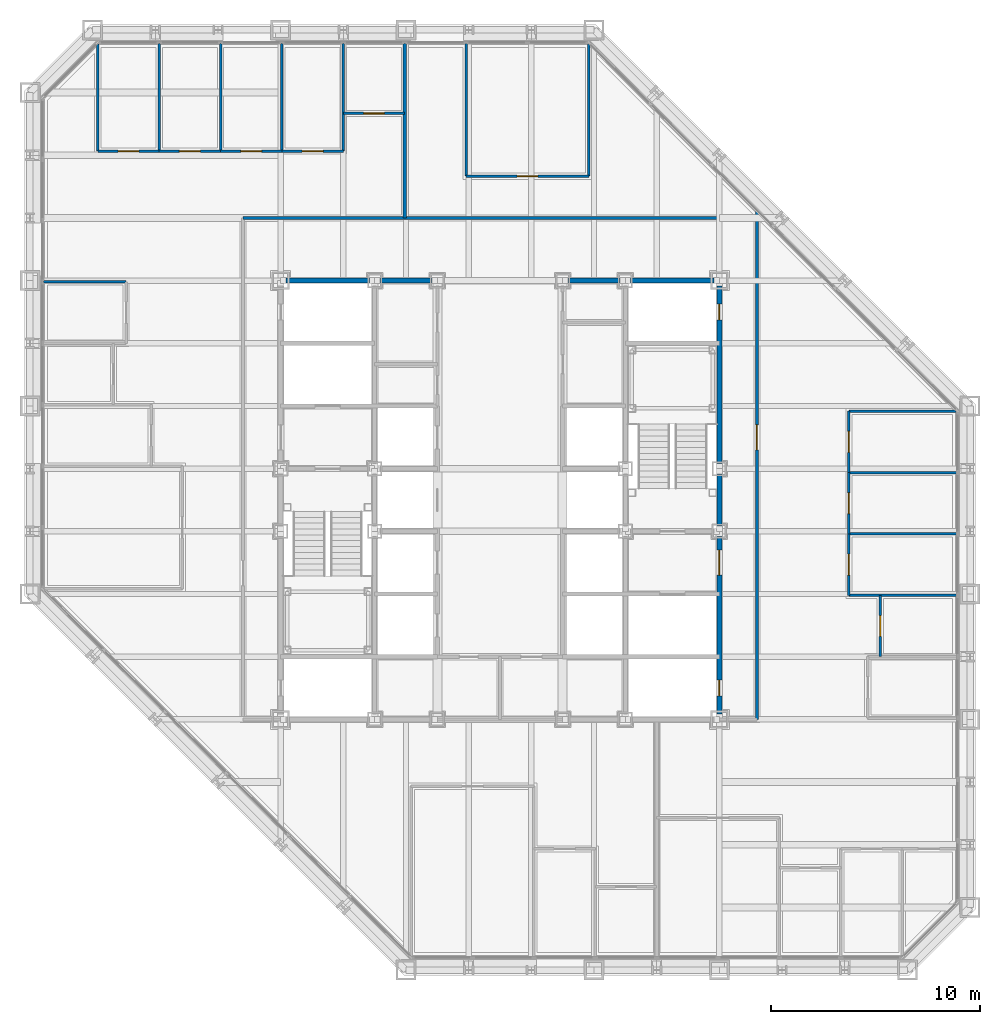
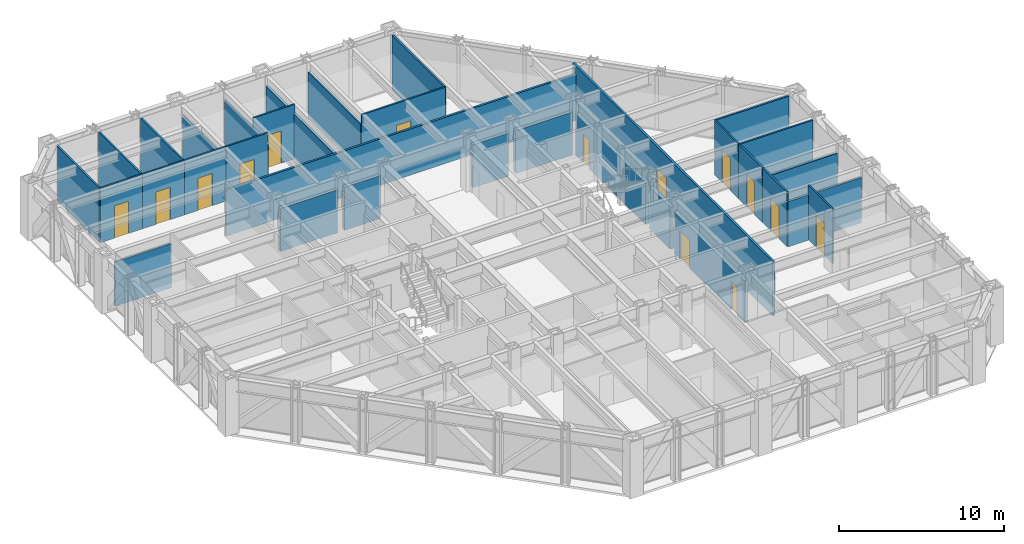
# One storey, part 12 of 16: 32 walls, 14 doors, 14 openings.
"""IFC4 building model written with IfcOpenShell, lengths in metres."""

import ifcopenshell
import ifcopenshell.guid

model = None  # the IFC model being written
_history = None  # IfcOwnerHistory: only IFC2X3 demands one
_inside = {}  # id of a spatial element -> (the spatial element, [elements in it])
_under = {}  # id of a project, library or spatial element -> (it, [spatial elements below it])
_declared = {}  # id of a project -> (the project, [libraries it declares])
_typed = {}  # id of a type object -> (the type object, [elements of that type])
_made_of = {}  # id of a material, layer set ... -> (it, [elements and type objects made of it])


def new_model(schema):
    """Start an empty IFC model of exactly this schema.

    Asked for "IFC4X3", IfcOpenShell would pick the latest addendum, in which some entities
    have other attributes; the version numbers below select the first issue.
    IFC2X3 requires an IfcOwnerHistory on every rooted entity: one is made here for all.
    """
    global model, _history
    if schema == "IFC4X3":
        model = ifcopenshell.file(schema_version=(4, 3, 0, 0))
    else:
        model = ifcopenshell.file(schema=schema)
    _inside.clear()
    _under.clear()
    _declared.clear()
    _typed.clear()
    _made_of.clear()
    _history = None
    if model.schema == "IFC2X3":
        org = make("IfcOrganization", Name="unknown")
        user = make(
            "IfcPersonAndOrganization",
            ThePerson=make("IfcPerson", FamilyName="unknown"),
            TheOrganization=org,
        )
        app = make(
            "IfcApplication",
            ApplicationDeveloper=org,
            Version="unknown",
            ApplicationFullName="unknown",
            ApplicationIdentifier="unknown",
        )
        _history = make(
            "IfcOwnerHistory",
            OwningUser=user,
            OwningApplication=app,
            ChangeAction="ADDED",
            CreationDate=0,
        )
    return model


def make(cls, **values):
    """One entity of the class cls with the attributes given. An attribute that is None is left unset."""
    return model.create_entity(
        cls, **{name: value for name, value in values.items() if value is not None}
    )


def rooted(cls, **values):
    """An entity with a GlobalId (a new one), such as an element, a storey or a relation."""
    return make(cls, GlobalId=ifcopenshell.guid.new(), OwnerHistory=_history, **values)


def si_unit(unit_type, name, prefix=None):
    """IfcSIUnit, for example si_unit("LENGTHUNIT", "METRE", prefix="MILLI")."""
    return make("IfcSIUnit", UnitType=unit_type, Prefix=prefix, Name=name)


def assignment(units):
    """IfcUnitAssignment: the units of a project."""
    return None if units is None else make("IfcUnitAssignment", Units=units)


def point(xyz):
    """IfcCartesianPoint."""
    return None if xyz is None else make("IfcCartesianPoint", Coordinates=xyz)


def direction(xyz):
    """IfcDirection."""
    return None if xyz is None else make("IfcDirection", DirectionRatios=xyz)


def frame(location, z_axis=None, x_axis=None):
    """IfcAxis2Placement3D, a coordinate frame: its origin and axes. An axis left out is left unset."""
    return make(
        "IfcAxis2Placement3D",
        Location=point(location),
        Axis=direction(z_axis),
        RefDirection=direction(x_axis),
    )


def frame_2d(location, x_axis=None):
    """IfcAxis2Placement2D, a coordinate frame in the plane: its origin and x axis."""
    return make(
        "IfcAxis2Placement2D", Location=point(location), RefDirection=direction(x_axis)
    )


def origin():
    """The frame at (0, 0, 0) with its axes left unset."""
    return frame((0.0, 0.0, 0.0))


def place(relative_to, where):
    """IfcLocalPlacement: puts the frame where relative to a parent placement (None: the world)."""
    return make(
        "IfcLocalPlacement", PlacementRelTo=relative_to, RelativePlacement=where
    )


def context(
    kind, dimensions, precision=None, world=None, true_north=None, identifier=None
):
    """IfcGeometricRepresentationContext, for example the 3D "Model" context."""
    return make(
        "IfcGeometricRepresentationContext",
        ContextIdentifier=identifier,
        ContextType=kind,
        CoordinateSpaceDimension=dimensions,
        Precision=precision,
        WorldCoordinateSystem=world,
        TrueNorth=true_north,
    )


def subcontext(parent, identifier, kind, view, scale=None):
    """IfcGeometricRepresentationSubContext, for example "Body" below "Model"."""
    return make(
        "IfcGeometricRepresentationSubContext",
        ContextIdentifier=identifier,
        ContextType=kind,
        ParentContext=parent,
        TargetScale=scale,
        TargetView=view,
    )


def project(units=None, contexts=None):
    """IfcProject with its units and contexts."""
    return rooted(
        "IfcProject",
        Name="project",
        RepresentationContexts=contexts,
        UnitsInContext=assignment(units),
    )


def spatial(cls, under=None, at=None, **own):
    """A site, building, storey or space (cls), placed at a placement, below another one or the project."""
    s = rooted(cls, ObjectPlacement=at, **own)
    if under is not None:
        _under.setdefault(under.id(), (under, []))[1].append(s)
    return s


def profile(cls, at=None, kind="AREA", **sizes):
    """A parametric profile (cls). Its sizes go by their IFC names, for example OverallWidth=200.0."""
    return make(cls, ProfileType=kind, Position=at, **sizes)


def rectangle(**sizes):
    """IfcRectangleProfileDef."""
    return profile("IfcRectangleProfileDef", **sizes)


def extrude(swept, where, along, depth):
    """IfcExtrudedAreaSolid: the profile swept, set in the frame where, extruded along a direction by depth."""
    return make(
        "IfcExtrudedAreaSolid",
        SweptArea=swept,
        Position=where,
        ExtrudedDirection=direction(along),
        Depth=depth,
    )


def shape(context_of_items, identifier, shape_type, items):
    """IfcShapeRepresentation: the items that make up one representation, for example the "Body"."""
    return make(
        "IfcShapeRepresentation",
        ContextOfItems=context_of_items,
        RepresentationIdentifier=identifier,
        RepresentationType=shape_type,
        Items=items,
    )


def material(Name=None, Category=None):
    """IfcMaterial."""
    return make("IfcMaterial", Name=Name, Category=Category)


def layer(
    of_material, thickness, ventilated=None, Name=None, Category=None, Priority=None
):
    """IfcMaterialLayer: one layer of a wall or slab, of a material (None: an air gap)."""
    return make(
        "IfcMaterialLayer",
        Material=of_material,
        LayerThickness=thickness,
        IsVentilated=ventilated,
        Name=Name,
        Category=Category,
        Priority=Priority,
    )


def layer_set(layers, Name=None):
    """IfcMaterialLayerSet."""
    return make("IfcMaterialLayerSet", MaterialLayers=layers, LayerSetName=Name)


def made_of(thing, what):
    """Note that an element or type object is made of a material, layer set ...; save() writes the relation."""
    if what is not None:
        _made_of.setdefault(what.id(), (what, []))[1].append(thing)
    return thing


def type_object(cls, material=None, **own):
    """A type object (cls), such as IfcWallType, which elements share."""
    return made_of(rooted(cls, **own), material)


def element(
    cls,
    number,
    at=None,
    inside=None,
    cuts=None,
    type_object=None,
    material=None,
    context=None,
    identifier="Body",
    shape_type=None,
    held_by="IfcProductDefinitionShape",
    body=None,
    shapes=None,
    **own,
):
    """One element of the class cls, such as IfcWall. Its Tag is "e" and its number.

    at: its placement. inside: the storey or other place that contains it. cuts: it is an
    opening in that element (IfcRelVoidsElement). A single representation is given by context,
    identifier, shape_type and body (its items); several are given by shapes. held_by: the class
    of the entity that holds the representations. save() writes the other relations.
    """
    e = rooted(cls, Tag="e%d" % number, ObjectPlacement=at, **own)
    if body is not None:
        shapes = [shape(context, identifier, shape_type, body)]
    if shapes is not None:
        e.Representation = make(held_by, Representations=shapes)
    if inside is not None:
        _inside.setdefault(inside.id(), (inside, []))[1].append(e)
    if cuts is not None:
        rooted(
            "IfcRelVoidsElement", RelatingBuildingElement=cuts, RelatedOpeningElement=e
        )
    if type_object is not None:
        _typed.setdefault(type_object.id(), (type_object, []))[1].append(e)
    return made_of(e, material)


def fill(opening, filler):
    """IfcRelFillsElement: the door or window that sits in an opening."""
    return rooted(
        "IfcRelFillsElement",
        RelatingOpeningElement=opening,
        RelatedBuildingElement=filler,
    )


def aggregate(whole, parts):
    """IfcRelAggregates: a whole, such as a stair, and the parts it consists of."""
    return rooted("IfcRelAggregates", RelatingObject=whole, RelatedObjects=parts)


def save(model, path):
    """Write the relations noted so far, then the file.

    IfcRelAggregates (storeys below a building ...), IfcRelContainedInSpatialStructure (elements
    in a storey), IfcRelDefinesByType, IfcRelAssociatesMaterial and IfcRelDeclares: one each for
    every whole, place, type object, material and project.
    """
    for whole, parts in _under.values():
        aggregate(whole, parts)
    for where, things in _inside.values():
        rooted(
            "IfcRelContainedInSpatialStructure",
            RelatedElements=things,
            RelatingStructure=where,
        )
    for kind, things in _typed.values():
        rooted("IfcRelDefinesByType", RelatedObjects=things, RelatingType=kind)
    for what, things in _made_of.values():
        rooted("IfcRelAssociatesMaterial", RelatedObjects=things, RelatingMaterial=what)
    for by, libraries in _declared.values():
        rooted("IfcRelDeclares", RelatingContext=by, RelatedDefinitions=libraries)
    model.write(path)


model = new_model("IFC4")

# Units and contexts
model_context = context("Model", 3, precision=1e-05, world=origin(), true_north=direction((0.0, 1.0)))
body_context = subcontext(model_context, "Body", "Model", "MODEL_VIEW")
ifc_project = project(units=[si_unit("LENGTHUNIT", "METRE"), si_unit("AREAUNIT", "SQUARE_METRE"), si_unit("VOLUMEUNIT", "CUBIC_METRE"), si_unit("PLANEANGLEUNIT", "RADIAN"), si_unit("MASSUNIT", "GRAM", prefix="KILO")], contexts=[model_context])

# Site, building, storey
site_placement = place(None, origin())
site = spatial("IfcSite", under=ifc_project, at=site_placement, CompositionType="ELEMENT")
building_placement = place(site_placement, origin())
building = spatial("IfcBuilding", under=site, at=building_placement, Name="Chuquiago Exchange Tower", CompositionType="ELEMENT")
storey_placement = place(building_placement, frame((0.0, 0.0, 119.39990234375)))
storey = spatial("IfcBuildingStorey", under=building, at=storey_placement, Name="L25", CompositionType="ELEMENT", Elevation=119.39990234375)

# Walls
ifc_material_1 = material(Name="Concrete masonry, fully grouted", Category="masonry")
ifc_layer_1 = layer(ifc_material_1, 0.25)
ifc_layer_set_1 = layer_set([ifc_layer_1], Name="W1 core wall 250")
wall_type_1 = type_object("IfcWallType", Name="W1 core wall 250", PredefinedType="SOLIDWALL", material=ifc_layer_set_1)
wall_1_placement = place(storey_placement, frame((12.25, 33.0, 0.0), z_axis=(0.0, 0.0, 1.0), x_axis=(1.0, 0.0, 0.0)))
element("IfcWall", 1, at=wall_1_placement, inside=storey, type_object=wall_type_1, Name="CW-L25-11-0", PredefinedType="SOLIDWALL", context=body_context, shape_type="SweptSolid", body=[
    extrude(rectangle(XDim=4.0, YDim=0.25, at=frame_2d((2.0, 0.0))), origin(), (0.0, 0.0, 1.0), 3.181640625),
])
for number, where, z_axis, x_axis, name in (
    (2, (16.75, 33.0, 0.0), (0.0, 0.0, 1.0), (1.0, 0.0, 0.0), "CW-L25-11-1"),
    (3, (25.75, 33.0, 0.0), (0.0, 0.0, 1.0), (1.0, 0.0, 0.0), "CW-L25-12-0"),
):
    element("IfcWall", number, at=place(storey_placement, frame(where, z_axis=z_axis, x_axis=x_axis)), inside=storey, type_object=wall_type_1, Name=name, PredefinedType="SOLIDWALL", context=body_context, shape_type="SweptSolid", body=[
        extrude(rectangle(XDim=2.5, YDim=0.25, at=frame_2d((1.25, 0.0))), origin(), (0.0, 0.0, 1.0), 3.181640625),
    ])
wall_2_placement = place(storey_placement, frame((28.75, 33.0, 0.0), z_axis=(0.0, 0.0, 1.0), x_axis=(1.0, 0.0, 0.0)))
element("IfcWall", 4, at=wall_2_placement, inside=storey, type_object=wall_type_1, Name="CW-L25-12-1", PredefinedType="SOLIDWALL", context=body_context, shape_type="SweptSolid", body=[
    extrude(rectangle(XDim=4.0, YDim=0.25, at=frame_2d((2.0, 0.0))), origin(), (0.0, 0.0, 1.0), 3.181640625),
])

# Wall, openings, doors
wall_3_placement = place(storey_placement, frame((33.0, 12.25, 0.0), z_axis=(0.0, 0.0, 1.0), x_axis=(0.0, 1.0, 0.0)))
wall_3 = element("IfcWall", 5, at=wall_3_placement, inside=storey, type_object=wall_type_1, Name="CW-L25-25-0", PredefinedType="SOLIDWALL", context=body_context, shape_type="SweptSolid", body=[
    extrude(rectangle(XDim=8.5, YDim=0.25, at=frame_2d((4.25, 0.0))), origin(), (0.0, 0.0, 1.0), 3.113037109375),
])
opening_1_placement = place(wall_3_placement, frame((6.64990234375, 0.0, 0.0)))
opening_1 = element("IfcOpeningElement", 6, at=opening_1_placement, cuts=wall_3, Name="Opening L25-004", PredefinedType="OPENING", context=body_context, shape_type="SweptSolid", body=[
    extrude(rectangle(XDim=1.199951171875, YDim=2.10009765625, at=frame_2d((0.60009765625, 1.050048828125))), frame((0.0, 0.135009765625, 0.0), z_axis=(0.0, -1.0, 0.0), x_axis=(1.0, 0.0, 0.0)), (0.0, 0.0, 1.0), 0.27001953125),
])
opening_2_placement = place(wall_3_placement, frame((0.875, 0.0, 0.0)))
opening_2 = element("IfcOpeningElement", 7, at=opening_2_placement, cuts=wall_3, Name="Opening L25-009", PredefinedType="OPENING", context=body_context, shape_type="SweptSolid", body=[
    extrude(rectangle(XDim=0.75, YDim=2.10009765625, at=frame_2d((0.375, 1.050048828125))), frame((0.0, 0.135009765625, 0.0), z_axis=(0.0, -1.0, 0.0), x_axis=(1.0, 0.0, 0.0)), (0.0, 0.0, 1.0), 0.27001953125),
])
ifc_material_2 = material(Name="Steel door, painted", Category="steel")
door_type_1 = type_object("IfcDoorType", Name="D5 firefighting lobby door 1200x2100", OperationType="SINGLE_SWING_LEFT", PredefinedType="DOOR", material=ifc_material_2)
door_1_placement = place(opening_1_placement, origin())
door_1 = element("IfcDoor", 8, at=door_1_placement, inside=storey, type_object=door_type_1, Name="Firefighting lobby 2 door", OperationType="SINGLE_SWING_RIGHT", OverallHeight=2.10009765625, OverallWidth=1.199951171875, PredefinedType="DOOR", context=body_context, shape_type="SweptSolid", body=[
    extrude(rectangle(XDim=1.199951171875, YDim=2.10009765625, at=frame_2d((0.60009765625, 1.050048828125))), frame((0.0, 0.02490234375, 0.0), z_axis=(0.0, -1.0, 0.0), x_axis=(1.0, 0.0, 0.0)), (0.0, 0.0, 1.0), 0.050048828125),
])
fill(opening_1, door_1)
ifc_material_3 = material(Name="Steel door, painted", Category="steel")
door_type_2 = type_object("IfcDoorType", Name="D6 riser access door 750x2100", OperationType="SINGLE_SWING_LEFT", PredefinedType="DOOR", material=ifc_material_3)
door_2_placement = place(opening_2_placement, origin())
door_2 = element("IfcDoor", 9, at=door_2_placement, inside=storey, type_object=door_type_2, Name="Riser RE1 door", OperationType="SINGLE_SWING_LEFT", OverallHeight=2.10009765625, OverallWidth=0.75, PredefinedType="DOOR", context=body_context, shape_type="SweptSolid", body=[
    extrude(rectangle(XDim=0.75, YDim=2.10009765625, at=frame_2d((0.375, 1.050048828125))), frame((0.0, 0.02490234375, 0.0), z_axis=(0.0, -1.0, 0.0), x_axis=(1.0, 0.0, 0.0)), (0.0, 0.0, 1.0), 0.050048828125),
])
fill(opening_2, door_2)

# Wall
wall_4_placement = place(storey_placement, frame((33.0, 21.25, 0.0), z_axis=(0.0, 0.0, 1.0), x_axis=(0.0, 1.0, 0.0)))
element("IfcWall", 10, at=wall_4_placement, inside=storey, type_object=wall_type_1, Name="CW-L25-25-1", PredefinedType="SOLIDWALL", context=body_context, shape_type="SweptSolid", body=[
    extrude(rectangle(XDim=2.5, YDim=0.25, at=frame_2d((1.25, 0.0))), origin(), (0.0, 0.0, 1.0), 3.113037109375),
])

# Wall, opening, door
wall_5_placement = place(storey_placement, frame((33.0, 24.25, 0.0), z_axis=(0.0, 0.0, 1.0), x_axis=(0.0, 1.0, 0.0)))
wall_5 = element("IfcWall", 11, at=wall_5_placement, inside=storey, type_object=wall_type_1, Name="CW-L25-25-2", PredefinedType="SOLIDWALL", context=body_context, shape_type="SweptSolid", body=[
    extrude(rectangle(XDim=8.5, YDim=0.25, at=frame_2d((4.25, 0.0))), origin(), (0.0, 0.0, 1.0), 3.113037109375),
])
opening_3_placement = place(wall_5_placement, frame((6.875, 0.0, 0.0)))
opening_3 = element("IfcOpeningElement", 12, at=opening_3_placement, cuts=wall_5, Name="Opening L25-010", PredefinedType="OPENING", context=body_context, shape_type="SweptSolid", body=[
    extrude(rectangle(XDim=0.75, YDim=2.10009765625, at=frame_2d((0.375, 1.050048828125))), frame((0.0, 0.135009765625, 0.0), z_axis=(0.0, -1.0, 0.0), x_axis=(1.0, 0.0, 0.0)), (0.0, 0.0, 1.0), 0.27001953125),
])
door_3_placement = place(opening_3_placement, origin())
door_3 = element("IfcDoor", 13, at=door_3_placement, inside=storey, type_object=door_type_2, Name="Riser RE2 door", OperationType="SINGLE_SWING_RIGHT", OverallHeight=2.10009765625, OverallWidth=0.75, PredefinedType="DOOR", context=body_context, shape_type="SweptSolid", body=[
    extrude(rectangle(XDim=0.75, YDim=2.10009765625, at=frame_2d((0.375, 1.050048828125))), frame((0.0, 0.02490234375, 0.0), z_axis=(0.0, -1.0, 0.0), x_axis=(1.0, 0.0, 0.0)), (0.0, 0.0, 1.0), 0.050048828125),
])
fill(opening_3, door_3)

# Wall
ifc_material_4 = material(Name="Gypsum board on steel studs, acoustic insulation", Category="steel")
ifc_layer_2 = layer(ifc_material_4, 0.14990234375)
ifc_layer_set_2 = layer_set([ifc_layer_2], Name="W11 corridor wall 150")
wall_type_2 = type_object("IfcWallType", Name="W11 corridor wall 150", PredefinedType="PARTITIONING", material=ifc_layer_set_2)
wall_6_placement = place(storey_placement, frame((10.199951171875, 36.0, 0.0), z_axis=(0.0, 0.0, 1.0), x_axis=(1.0, 0.0, 0.0)))
element("IfcWall", 14, at=wall_6_placement, inside=storey, type_object=wall_type_2, Name="PW-L25-CN", PredefinedType="PARTITIONING", context=body_context, shape_type="SweptSolid", body=[
    extrude(rectangle(XDim=24.91455078125, YDim=0.14990234375, at=frame_2d((12.457275390625, 0.0))), origin(), (0.0, 0.0, 1.0), 3.427978515625),
])

# Wall, opening, door
wall_7_placement = place(storey_placement, frame((34.800048828125, 12.0, 0.0), z_axis=(0.0, 0.0, 1.0), x_axis=(0.0, 1.0, 0.0)))
wall_7 = element("IfcWall", 15, at=wall_7_placement, inside=storey, type_object=wall_type_2, Name="PW-L25-CE", PredefinedType="PARTITIONING", context=body_context, shape_type="SweptSolid", body=[
    extrude(rectangle(XDim=24.314453125, YDim=0.14990234375, at=frame_2d((12.1572265625, 0.0))), origin(), (0.0, 0.0, 1.0), 4.0400390625),
])
opening_4_placement = place(wall_7_placement, frame((12.89990234375, 0.0, 0.0)))
opening_4 = element("IfcOpeningElement", 16, at=opening_4_placement, cuts=wall_7, Name="Opening L25-044", PredefinedType="OPENING", context=body_context, shape_type="SweptSolid", body=[
    extrude(rectangle(XDim=1.199951171875, YDim=2.39990234375, at=frame_2d((0.60009765625, 1.199951171875))), frame((0.0, 0.0849609375, 0.0), z_axis=(0.0, -1.0, 0.0), x_axis=(1.0, 0.0, 0.0)), (0.0, 0.0, 1.0), 0.169921875),
])
ifc_material_5 = material(Name="Timber door, laminate faced", Category="wood")
door_type_3 = type_object("IfcDoorType", Name="D13 suite entrance door 1200x2400", OperationType="SINGLE_SWING_LEFT", PredefinedType="DOOR", material=ifc_material_5)
door_4_placement = place(opening_4_placement, frame((1.199951171875, 0.0, 0.0), z_axis=(0.0, 0.0, 1.0), x_axis=(-1.0, 0.0, 0.0)))
door_4 = element("IfcDoor", 17, at=door_4_placement, inside=storey, type_object=door_type_3, Name="East suite entrance door", OperationType="SINGLE_SWING_LEFT", OverallHeight=2.39990234375, OverallWidth=1.199951171875, PredefinedType="DOOR", context=body_context, shape_type="SweptSolid", body=[
    extrude(rectangle(XDim=1.199951171875, YDim=2.39990234375, at=frame_2d((0.60009765625, 1.199951171875))), frame((0.0, 0.02490234375, 0.0), z_axis=(0.0, -1.0, 0.0), x_axis=(1.0, 0.0, 0.0)), (0.0, 0.0, 1.0), 0.050048828125),
])
fill(opening_4, door_4)

# Walls
ifc_material_6 = material(Name="Gypsum board on twin steel studs, acoustic insulation", Category="steel")
ifc_layer_3 = layer(ifc_material_6, 0.175048828125)
ifc_layer_set_3 = layer_set([ifc_layer_3], Name="W12 tenant demising wall 175")
wall_type_3 = type_object("IfcWallType", Name="W12 tenant demising wall 175", PredefinedType="PARTITIONING", material=ifc_layer_set_3)
wall_8_placement = place(storey_placement, frame((17.93798828125, 44.347412109375, 0.0), z_axis=(0.0, 0.0, 1.0), x_axis=(0.0, -1.0, 0.0)))
element("IfcWall", 18, at=wall_8_placement, inside=storey, type_object=wall_type_3, Name="PW-L25-DN01794", PredefinedType="PARTITIONING", context=body_context, shape_type="SweptSolid", body=[
    extrude(rectangle(XDim=8.347412109375, YDim=0.175048828125, at=frame_2d((4.173828125, 0.0))), origin(), (0.0, 0.0, 1.0), 3.35693359375),
])
ifc_material_7 = material(Name="Gypsum board on steel studs", Category="steel")
ifc_layer_4 = layer(ifc_material_7, 0.1201171875)
ifc_layer_set_4 = layer_set([ifc_layer_4], Name="W4 partition 120")
wall_type_4 = type_object("IfcWallType", Name="W4 partition 120", PredefinedType="PARTITIONING", material=ifc_layer_set_4)
for number, where, z_axis, x_axis, name in (
    (19, (44.347412109375, 17.93798828125, 0.0), (0.0, 0.0, 1.0), (-1.0, 0.0, 0.0), "PW-L25-E01794"),
    (20, (44.347412109375, 20.875732421875, 0.0), (0.0, 0.0, 1.0), (-1.0, 0.0, 0.0), "PW-L25-E02088"),
):
    element("IfcWall", number, at=place(storey_placement, frame(where, z_axis=z_axis, x_axis=x_axis)), inside=storey, type_object=wall_type_4, Name=name, PredefinedType="PARTITIONING", context=body_context, shape_type="SweptSolid", body=[
        extrude(rectangle(XDim=5.1474609375, YDim=0.1201171875, at=frame_2d((2.57373046875, 0.0))), origin(), (0.0, 0.0, 1.0), 3.35693359375),
    ])
wall_9_placement = place(storey_placement, frame((44.347412109375, 23.813720703125, 0.0), z_axis=(0.0, 0.0, 1.0), x_axis=(-1.0, 0.0, 0.0)))
element("IfcWall", 21, at=wall_9_placement, inside=storey, type_object=wall_type_4, Name="PW-L25-E02381", PredefinedType="PARTITIONING", context=body_context, shape_type="SweptSolid", body=[
    extrude(rectangle(XDim=5.1474609375, YDim=0.1201171875, at=frame_2d((2.57373046875, 0.0))), origin(), (0.0, 0.0, 1.0), 4.0400390625),
])
wall_10_placement = place(storey_placement, frame((44.333984375, 26.75146484375, 0.0), z_axis=(0.0, 0.0, 1.0), x_axis=(-1.0, 0.0, 0.0)))
element("IfcWall", 22, at=wall_10_placement, inside=storey, type_object=wall_type_4, Name="PW-L25-E02675", PredefinedType="PARTITIONING", context=body_context, shape_type="SweptSolid", body=[
    extrude(rectangle(XDim=5.134033203125, YDim=0.1201171875, at=frame_2d((2.56689453125, 0.0))), origin(), (0.0, 0.0, 1.0), 4.0400390625),
])

# Wall, opening, door
wall_11_placement = place(storey_placement, frame((40.699951171875, 15.0, 0.0), z_axis=(0.0, 0.0, 1.0), x_axis=(0.0, 1.0, 0.0)))
wall_11 = element("IfcWall", 23, at=wall_11_placement, inside=storey, type_object=wall_type_4, Name="PW-L25-EF01500", PredefinedType="PARTITIONING", context=body_context, shape_type="SweptSolid", body=[
    extrude(rectangle(XDim=2.93798828125, YDim=0.1201171875, at=frame_2d((1.468994140625, 0.0))), origin(), (0.0, 0.0, 1.0), 4.0400390625),
])
opening_5_placement = place(wall_11_placement, frame((0.968994140625, 0.0, 0.0)))
opening_5 = element("IfcOpeningElement", 24, at=opening_5_placement, cuts=wall_11, Name="Opening L25-029", PredefinedType="OPENING", context=body_context, shape_type="SweptSolid", body=[
    extrude(rectangle(XDim=1.0, YDim=2.39990234375, at=frame_2d((0.5, 1.199951171875))), frame((0.0, 0.070068359375, 0.0), z_axis=(0.0, -1.0, 0.0), x_axis=(1.0, 0.0, 0.0)), (0.0, 0.0, 1.0), 0.14013671875),
])
ifc_material_8 = material(Name="Timber door, laminate faced", Category="wood")
door_type_4 = type_object("IfcDoorType", Name="D9 room door 1000x2400", OperationType="SINGLE_SWING_LEFT", PredefinedType="DOOR", material=ifc_material_8)
door_5_placement = place(opening_5_placement, frame((1.0, 0.0, 0.0), z_axis=(0.0, 0.0, 1.0), x_axis=(-1.0, 0.0, 0.0)))
door_5 = element("IfcDoor", 25, at=door_5_placement, inside=storey, type_object=door_type_4, Name="Store door", OperationType="SINGLE_SWING_RIGHT", OverallHeight=2.39990234375, OverallWidth=1.0, PredefinedType="DOOR", context=body_context, shape_type="SweptSolid", body=[
    extrude(rectangle(XDim=1.0, YDim=2.39990234375, at=frame_2d((0.5, 1.199951171875))), frame((0.0, 0.02490234375, 0.0), z_axis=(0.0, -1.0, 0.0), x_axis=(1.0, 0.0, 0.0)), (0.0, 0.0, 1.0), 0.050048828125),
])
fill(opening_5, door_5)

wall_12_placement = place(storey_placement, frame((39.199951171875, 17.93798828125, 0.0), z_axis=(0.0, 0.0, 1.0), x_axis=(0.0, 1.0, 0.0)))
wall_12 = element("IfcWall", 26, at=wall_12_placement, inside=storey, type_object=wall_type_4, Name="PW-L25-EF01794", PredefinedType="PARTITIONING", context=body_context, shape_type="SweptSolid", body=[
    extrude(rectangle(XDim=2.937744140625, YDim=0.1201171875, at=frame_2d((1.46875, 0.0))), origin(), (0.0, 0.0, 1.0), 4.0400390625),
])
opening_6_placement = place(wall_12_placement, frame((0.968994140625, 0.0, 0.0)))
opening_6 = element("IfcOpeningElement", 27, at=opening_6_placement, cuts=wall_12, Name="Opening L25-030", PredefinedType="OPENING", context=body_context, shape_type="SweptSolid", body=[
    extrude(rectangle(XDim=1.0, YDim=2.39990234375, at=frame_2d((0.5, 1.199951171875))), frame((0.0, 0.070068359375, 0.0), z_axis=(0.0, -1.0, 0.0), x_axis=(1.0, 0.0, 0.0)), (0.0, 0.0, 1.0), 0.14013671875),
])
door_6_placement = place(opening_6_placement, frame((1.0, 0.0, 0.0), z_axis=(0.0, 0.0, 1.0), x_axis=(-1.0, 0.0, 0.0)))
door_6 = element("IfcDoor", 28, at=door_6_placement, inside=storey, type_object=door_type_4, Name="Office door", OperationType="SINGLE_SWING_LEFT", OverallHeight=2.39990234375, OverallWidth=1.0, PredefinedType="DOOR", context=body_context, shape_type="SweptSolid", body=[
    extrude(rectangle(XDim=1.0, YDim=2.39990234375, at=frame_2d((0.5, 1.199951171875))), frame((0.0, 0.02490234375, 0.0), z_axis=(0.0, -1.0, 0.0), x_axis=(1.0, 0.0, 0.0)), (0.0, 0.0, 1.0), 0.050048828125),
])
fill(opening_6, door_6)

wall_13_placement = place(storey_placement, frame((39.199951171875, 20.875732421875, 0.0), z_axis=(0.0, 0.0, 1.0), x_axis=(0.0, 1.0, 0.0)))
wall_13 = element("IfcWall", 29, at=wall_13_placement, inside=storey, type_object=wall_type_4, Name="PW-L25-EF02088", PredefinedType="PARTITIONING", context=body_context, shape_type="SweptSolid", body=[
    extrude(rectangle(XDim=2.93798828125, YDim=0.1201171875, at=frame_2d((1.468994140625, 0.0))), origin(), (0.0, 0.0, 1.0), 4.0400390625),
])
opening_7_placement = place(wall_13_placement, frame((0.968994140625, 0.0, 0.0)))
opening_7 = element("IfcOpeningElement", 30, at=opening_7_placement, cuts=wall_13, Name="Opening L25-031", PredefinedType="OPENING", context=body_context, shape_type="SweptSolid", body=[
    extrude(rectangle(XDim=1.0, YDim=2.39990234375, at=frame_2d((0.5, 1.199951171875))), frame((0.0, 0.070068359375, 0.0), z_axis=(0.0, -1.0, 0.0), x_axis=(1.0, 0.0, 0.0)), (0.0, 0.0, 1.0), 0.14013671875),
])
door_7_placement = place(opening_7_placement, frame((1.0, 0.0, 0.0), z_axis=(0.0, 0.0, 1.0), x_axis=(-1.0, 0.0, 0.0)))
door_7 = element("IfcDoor", 31, at=door_7_placement, inside=storey, type_object=door_type_4, Name="Office door", OperationType="SINGLE_SWING_LEFT", OverallHeight=2.39990234375, OverallWidth=1.0, PredefinedType="DOOR", context=body_context, shape_type="SweptSolid", body=[
    extrude(rectangle(XDim=1.0, YDim=2.39990234375, at=frame_2d((0.5, 1.199951171875))), frame((0.0, 0.02490234375, 0.0), z_axis=(0.0, -1.0, 0.0), x_axis=(1.0, 0.0, 0.0)), (0.0, 0.0, 1.0), 0.050048828125),
])
fill(opening_7, door_7)

wall_14_placement = place(storey_placement, frame((39.199951171875, 23.813720703125, 0.0), z_axis=(0.0, 0.0, 1.0), x_axis=(0.0, 1.0, 0.0)))
wall_14 = element("IfcWall", 32, at=wall_14_placement, inside=storey, type_object=wall_type_4, Name="PW-L25-EF02381", PredefinedType="PARTITIONING", context=body_context, shape_type="SweptSolid", body=[
    extrude(rectangle(XDim=2.937744140625, YDim=0.1201171875, at=frame_2d((1.46875, 0.0))), origin(), (0.0, 0.0, 1.0), 4.0400390625),
])
opening_8_placement = place(wall_14_placement, frame((0.968994140625, 0.0, 0.0)))
opening_8 = element("IfcOpeningElement", 33, at=opening_8_placement, cuts=wall_14, Name="Opening L25-032", PredefinedType="OPENING", context=body_context, shape_type="SweptSolid", body=[
    extrude(rectangle(XDim=1.0, YDim=2.39990234375, at=frame_2d((0.5, 1.199951171875))), frame((0.0, 0.070068359375, 0.0), z_axis=(0.0, -1.0, 0.0), x_axis=(1.0, 0.0, 0.0)), (0.0, 0.0, 1.0), 0.14013671875),
])
door_8_placement = place(opening_8_placement, frame((1.0, 0.0, 0.0), z_axis=(0.0, 0.0, 1.0), x_axis=(-1.0, 0.0, 0.0)))
door_8 = element("IfcDoor", 34, at=door_8_placement, inside=storey, type_object=door_type_4, Name="Office door", OperationType="SINGLE_SWING_RIGHT", OverallHeight=2.39990234375, OverallWidth=1.0, PredefinedType="DOOR", context=body_context, shape_type="SweptSolid", body=[
    extrude(rectangle(XDim=1.0, YDim=2.39990234375, at=frame_2d((0.5, 1.199951171875))), frame((0.0, 0.02490234375, 0.0), z_axis=(0.0, -1.0, 0.0), x_axis=(1.0, 0.0, 0.0)), (0.0, 0.0, 1.0), 0.050048828125),
])
fill(opening_8, door_8)

# Walls
wall_15_placement = place(storey_placement, frame((3.24853515625, 44.333984375, 0.0), z_axis=(0.0, 0.0, 1.0), x_axis=(0.0, -1.0, 0.0)))
element("IfcWall", 35, at=wall_15_placement, inside=storey, type_object=wall_type_4, Name="PW-L25-N00325", PredefinedType="PARTITIONING", context=body_context, shape_type="SweptSolid", body=[
    extrude(rectangle(XDim=5.134033203125, YDim=0.1201171875, at=frame_2d((2.56689453125, 0.0))), origin(), (0.0, 0.0, 1.0), 4.0400390625),
])
for number, where, z_axis, x_axis, name in (
    (36, (6.186279296875, 44.347412109375, 0.0), (0.0, 0.0, 1.0), (0.0, -1.0, 0.0), "PW-L25-N00619"),
    (37, (9.124267578125, 44.347412109375, 0.0), (0.0, 0.0, 1.0), (0.0, -1.0, 0.0), "PW-L25-N00912"),
):
    element("IfcWall", number, at=place(storey_placement, frame(where, z_axis=z_axis, x_axis=x_axis)), inside=storey, type_object=wall_type_4, Name=name, PredefinedType="PARTITIONING", context=body_context, shape_type="SweptSolid", body=[
        extrude(rectangle(XDim=5.1474609375, YDim=0.1201171875, at=frame_2d((2.57373046875, 0.0))), origin(), (0.0, 0.0, 1.0), 4.0400390625),
    ])
wall_16_placement = place(storey_placement, frame((12.06201171875, 44.347412109375, 0.0), z_axis=(0.0, 0.0, 1.0), x_axis=(0.0, -1.0, 0.0)))
element("IfcWall", 38, at=wall_16_placement, inside=storey, type_object=wall_type_4, Name="PW-L25-N01206", PredefinedType="PARTITIONING", context=body_context, shape_type="SweptSolid", body=[
    extrude(rectangle(XDim=5.1474609375, YDim=0.1201171875, at=frame_2d((2.57373046875, 0.0))), origin(), (0.0, 0.0, 1.0), 3.2705078125),
])
wall_17_placement = place(storey_placement, frame((15.0, 44.347412109375, 0.0), z_axis=(0.0, 0.0, 1.0), x_axis=(0.0, -1.0, 0.0)))
element("IfcWall", 39, at=wall_17_placement, inside=storey, type_object=wall_type_4, Name="PW-L25-N01500", PredefinedType="PARTITIONING", context=body_context, shape_type="SweptSolid", body=[
    extrude(rectangle(XDim=5.1474609375, YDim=0.1201171875, at=frame_2d((2.57373046875, 0.0))), origin(), (0.0, 0.0, 1.0), 3.35693359375),
])
wall_18_placement = place(storey_placement, frame((20.875732421875, 44.347412109375, 0.0), z_axis=(0.0, 0.0, 1.0), x_axis=(0.0, -1.0, 0.0)))
element("IfcWall", 40, at=wall_18_placement, inside=storey, type_object=wall_type_4, Name="PW-L25-N02088", PredefinedType="PARTITIONING", context=body_context, shape_type="SweptSolid", body=[
    extrude(rectangle(XDim=6.347412109375, YDim=0.1201171875, at=frame_2d((3.173828125, 0.0))), origin(), (0.0, 0.0, 1.0), 3.35693359375),
])
wall_19_placement = place(storey_placement, frame((26.75146484375, 44.333984375, 0.0), z_axis=(0.0, 0.0, 1.0), x_axis=(0.0, -1.0, 0.0)))
element("IfcWall", 41, at=wall_19_placement, inside=storey, type_object=wall_type_4, Name="PW-L25-N02675", PredefinedType="PARTITIONING", context=body_context, shape_type="SweptSolid", body=[
    extrude(rectangle(XDim=6.333984375, YDim=0.1201171875, at=frame_2d((3.1669921875, 0.0))), origin(), (0.0, 0.0, 1.0), 4.0400390625),
])

# Wall, opening, door
wall_20_placement = place(storey_placement, frame((3.24853515625, 39.199951171875, 0.0), z_axis=(0.0, 0.0, 1.0), x_axis=(1.0, 0.0, 0.0)))
wall_20 = element("IfcWall", 42, at=wall_20_placement, inside=storey, type_object=wall_type_4, Name="PW-L25-NF00325", PredefinedType="PARTITIONING", context=body_context, shape_type="SweptSolid", body=[
    extrude(rectangle(XDim=2.937744140625, YDim=0.1201171875, at=frame_2d((1.46875, 0.0))), origin(), (0.0, 0.0, 1.0), 4.0400390625),
])
opening_9_placement = place(wall_20_placement, frame((0.968994140625, 0.0, 0.0)))
opening_9 = element("IfcOpeningElement", 43, at=opening_9_placement, cuts=wall_20, Name="Opening L25-033", PredefinedType="OPENING", context=body_context, shape_type="SweptSolid", body=[
    extrude(rectangle(XDim=1.0, YDim=2.39990234375, at=frame_2d((0.5, 1.199951171875))), frame((0.0, 0.070068359375, 0.0), z_axis=(0.0, -1.0, 0.0), x_axis=(1.0, 0.0, 0.0)), (0.0, 0.0, 1.0), 0.14013671875),
])
door_9_placement = place(opening_9_placement, origin())
door_9 = element("IfcDoor", 44, at=door_9_placement, inside=storey, type_object=door_type_4, Name="Office door", OperationType="SINGLE_SWING_LEFT", OverallHeight=2.39990234375, OverallWidth=1.0, PredefinedType="DOOR", context=body_context, shape_type="SweptSolid", body=[
    extrude(rectangle(XDim=1.0, YDim=2.39990234375, at=frame_2d((0.5, 1.199951171875))), frame((0.0, 0.02490234375, 0.0), z_axis=(0.0, -1.0, 0.0), x_axis=(1.0, 0.0, 0.0)), (0.0, 0.0, 1.0), 0.050048828125),
])
fill(opening_9, door_9)

wall_21_placement = place(storey_placement, frame((6.186279296875, 39.199951171875, 0.0), z_axis=(0.0, 0.0, 1.0), x_axis=(1.0, 0.0, 0.0)))
wall_21 = element("IfcWall", 45, at=wall_21_placement, inside=storey, type_object=wall_type_4, Name="PW-L25-NF00619", PredefinedType="PARTITIONING", context=body_context, shape_type="SweptSolid", body=[
    extrude(rectangle(XDim=2.93798828125, YDim=0.1201171875, at=frame_2d((1.468994140625, 0.0))), origin(), (0.0, 0.0, 1.0), 4.0400390625),
])
opening_10_placement = place(wall_21_placement, frame((0.968994140625, 0.0, 0.0)))
opening_10 = element("IfcOpeningElement", 46, at=opening_10_placement, cuts=wall_21, Name="Opening L25-034", PredefinedType="OPENING", context=body_context, shape_type="SweptSolid", body=[
    extrude(rectangle(XDim=1.0, YDim=2.39990234375, at=frame_2d((0.5, 1.199951171875))), frame((0.0, 0.070068359375, 0.0), z_axis=(0.0, -1.0, 0.0), x_axis=(1.0, 0.0, 0.0)), (0.0, 0.0, 1.0), 0.14013671875),
])
door_10_placement = place(opening_10_placement, origin())
door_10 = element("IfcDoor", 47, at=door_10_placement, inside=storey, type_object=door_type_4, Name="Office door", OperationType="SINGLE_SWING_LEFT", OverallHeight=2.39990234375, OverallWidth=1.0, PredefinedType="DOOR", context=body_context, shape_type="SweptSolid", body=[
    extrude(rectangle(XDim=1.0, YDim=2.39990234375, at=frame_2d((0.5, 1.199951171875))), frame((0.0, 0.02490234375, 0.0), z_axis=(0.0, -1.0, 0.0), x_axis=(1.0, 0.0, 0.0)), (0.0, 0.0, 1.0), 0.050048828125),
])
fill(opening_10, door_10)

wall_22_placement = place(storey_placement, frame((9.124267578125, 39.199951171875, 0.0), z_axis=(0.0, 0.0, 1.0), x_axis=(1.0, 0.0, 0.0)))
wall_22 = element("IfcWall", 48, at=wall_22_placement, inside=storey, type_object=wall_type_4, Name="PW-L25-NF00912", PredefinedType="PARTITIONING", context=body_context, shape_type="SweptSolid", body=[
    extrude(rectangle(XDim=2.937744140625, YDim=0.1201171875, at=frame_2d((1.46875, 0.0))), origin(), (0.0, 0.0, 1.0), 4.0400390625),
])
opening_11_placement = place(wall_22_placement, frame((0.968994140625, 0.0, 0.0)))
opening_11 = element("IfcOpeningElement", 49, at=opening_11_placement, cuts=wall_22, Name="Opening L25-035", PredefinedType="OPENING", context=body_context, shape_type="SweptSolid", body=[
    extrude(rectangle(XDim=1.0, YDim=2.39990234375, at=frame_2d((0.5, 1.199951171875))), frame((0.0, 0.070068359375, 0.0), z_axis=(0.0, -1.0, 0.0), x_axis=(1.0, 0.0, 0.0)), (0.0, 0.0, 1.0), 0.14013671875),
])
door_11_placement = place(opening_11_placement, origin())
door_11 = element("IfcDoor", 50, at=door_11_placement, inside=storey, type_object=door_type_4, Name="Office door", OperationType="SINGLE_SWING_RIGHT", OverallHeight=2.39990234375, OverallWidth=1.0, PredefinedType="DOOR", context=body_context, shape_type="SweptSolid", body=[
    extrude(rectangle(XDim=1.0, YDim=2.39990234375, at=frame_2d((0.5, 1.199951171875))), frame((0.0, 0.02490234375, 0.0), z_axis=(0.0, -1.0, 0.0), x_axis=(1.0, 0.0, 0.0)), (0.0, 0.0, 1.0), 0.050048828125),
])
fill(opening_11, door_11)

wall_23_placement = place(storey_placement, frame((12.06201171875, 39.199951171875, 0.0), z_axis=(0.0, 0.0, 1.0), x_axis=(1.0, 0.0, 0.0)))
wall_23 = element("IfcWall", 51, at=wall_23_placement, inside=storey, type_object=wall_type_4, Name="PW-L25-NF01206", PredefinedType="PARTITIONING", context=body_context, shape_type="SweptSolid", body=[
    extrude(rectangle(XDim=2.93798828125, YDim=0.1201171875, at=frame_2d((1.468994140625, 0.0))), origin(), (0.0, 0.0, 1.0), 4.0400390625),
])
opening_12_placement = place(wall_23_placement, frame((0.968994140625, 0.0, 0.0)))
opening_12 = element("IfcOpeningElement", 52, at=opening_12_placement, cuts=wall_23, Name="Opening L25-036", PredefinedType="OPENING", context=body_context, shape_type="SweptSolid", body=[
    extrude(rectangle(XDim=1.0, YDim=2.39990234375, at=frame_2d((0.5, 1.199951171875))), frame((0.0, 0.070068359375, 0.0), z_axis=(0.0, -1.0, 0.0), x_axis=(1.0, 0.0, 0.0)), (0.0, 0.0, 1.0), 0.14013671875),
])
ifc_material_9 = material(Name="Timber frame door, full height glazed panel", Category="wood")
door_type_5 = type_object("IfcDoorType", Name="D14 glazed meeting room door 1000x2400", OperationType="SINGLE_SWING_LEFT", PredefinedType="DOOR", material=ifc_material_9)
door_12_placement = place(opening_12_placement, origin())
door_12 = element("IfcDoor", 53, at=door_12_placement, inside=storey, type_object=door_type_5, Name="Meeting room door", OperationType="SINGLE_SWING_RIGHT", OverallHeight=2.39990234375, OverallWidth=1.0, PredefinedType="DOOR", context=body_context, shape_type="SweptSolid", body=[
    extrude(rectangle(XDim=1.0, YDim=2.39990234375, at=frame_2d((0.5, 1.199951171875))), frame((0.0, 0.02490234375, 0.0), z_axis=(0.0, -1.0, 0.0), x_axis=(1.0, 0.0, 0.0)), (0.0, 0.0, 1.0), 0.050048828125),
])
fill(opening_12, door_12)

wall_24_placement = place(storey_placement, frame((15.0, 41.0, 0.0), z_axis=(0.0, 0.0, 1.0), x_axis=(1.0, 0.0, 0.0)))
wall_24 = element("IfcWall", 54, at=wall_24_placement, inside=storey, type_object=wall_type_4, Name="PW-L25-NF01500", PredefinedType="PARTITIONING", context=body_context, shape_type="SweptSolid", body=[
    extrude(rectangle(XDim=2.93798828125, YDim=0.1201171875, at=frame_2d((1.468994140625, 0.0))), origin(), (0.0, 0.0, 1.0), 4.0400390625),
])
opening_13_placement = place(wall_24_placement, frame((0.968994140625, 0.0, 0.0)))
opening_13 = element("IfcOpeningElement", 55, at=opening_13_placement, cuts=wall_24, Name="Opening L25-037", PredefinedType="OPENING", context=body_context, shape_type="SweptSolid", body=[
    extrude(rectangle(XDim=1.0, YDim=2.39990234375, at=frame_2d((0.5, 1.199951171875))), frame((0.0, 0.070068359375, 0.0), z_axis=(0.0, -1.0, 0.0), x_axis=(1.0, 0.0, 0.0)), (0.0, 0.0, 1.0), 0.14013671875),
])
door_13_placement = place(opening_13_placement, origin())
door_13 = element("IfcDoor", 56, at=door_13_placement, inside=storey, type_object=door_type_5, Name="Focus room door", OperationType="SINGLE_SWING_RIGHT", OverallHeight=2.39990234375, OverallWidth=1.0, PredefinedType="DOOR", context=body_context, shape_type="SweptSolid", body=[
    extrude(rectangle(XDim=1.0, YDim=2.39990234375, at=frame_2d((0.5, 1.199951171875))), frame((0.0, 0.02490234375, 0.0), z_axis=(0.0, -1.0, 0.0), x_axis=(1.0, 0.0, 0.0)), (0.0, 0.0, 1.0), 0.050048828125),
])
fill(opening_13, door_13)

wall_25_placement = place(storey_placement, frame((20.875732421875, 38.0, 0.0), z_axis=(0.0, 0.0, 1.0), x_axis=(1.0, 0.0, 0.0)))
wall_25 = element("IfcWall", 57, at=wall_25_placement, inside=storey, type_object=wall_type_4, Name="PW-L25-NF02088", PredefinedType="PARTITIONING", context=body_context, shape_type="SweptSolid", body=[
    extrude(rectangle(XDim=5.875732421875, YDim=0.1201171875, at=frame_2d((2.93798828125, 0.0))), origin(), (0.0, 0.0, 1.0), 4.0400390625),
])
opening_14_placement = place(wall_25_placement, frame((2.43798828125, 0.0, 0.0)))
opening_14 = element("IfcOpeningElement", 58, at=opening_14_placement, cuts=wall_25, Name="Opening L25-038", PredefinedType="OPENING", context=body_context, shape_type="SweptSolid", body=[
    extrude(rectangle(XDim=1.0, YDim=2.39990234375, at=frame_2d((0.5, 1.199951171875))), frame((0.0, 0.070068359375, 0.0), z_axis=(0.0, -1.0, 0.0), x_axis=(1.0, 0.0, 0.0)), (0.0, 0.0, 1.0), 0.14013671875),
])
door_14_placement = place(opening_14_placement, origin())
door_14 = element("IfcDoor", 59, at=door_14_placement, inside=storey, type_object=door_type_4, Name="Risk management office door", OperationType="SINGLE_SWING_LEFT", OverallHeight=2.39990234375, OverallWidth=1.0, PredefinedType="DOOR", context=body_context, shape_type="SweptSolid", body=[
    extrude(rectangle(XDim=1.0, YDim=2.39990234375, at=frame_2d((0.5, 1.199951171875))), frame((0.0, 0.02490234375, 0.0), z_axis=(0.0, -1.0, 0.0), x_axis=(1.0, 0.0, 0.0)), (0.0, 0.0, 1.0), 0.050048828125),
])
fill(opening_14, door_14)

# Wall
wall_26_placement = place(storey_placement, frame((0.652587890625, 32.93798828125, 0.0), z_axis=(0.0, 0.0, 1.0), x_axis=(1.0, 0.0, 0.0)))
element("IfcWall", 60, at=wall_26_placement, inside=storey, type_object=wall_type_4, Name="PW-L25-W03294", PredefinedType="PARTITIONING", context=body_context, shape_type="SweptSolid", body=[
    extrude(rectangle(XDim=3.947509765625, YDim=0.1201171875, at=frame_2d((1.9736328125, 0.0))), origin(), (0.0, 0.0, 1.0), 3.2705078125),
])

save(model, "model.ifc")
